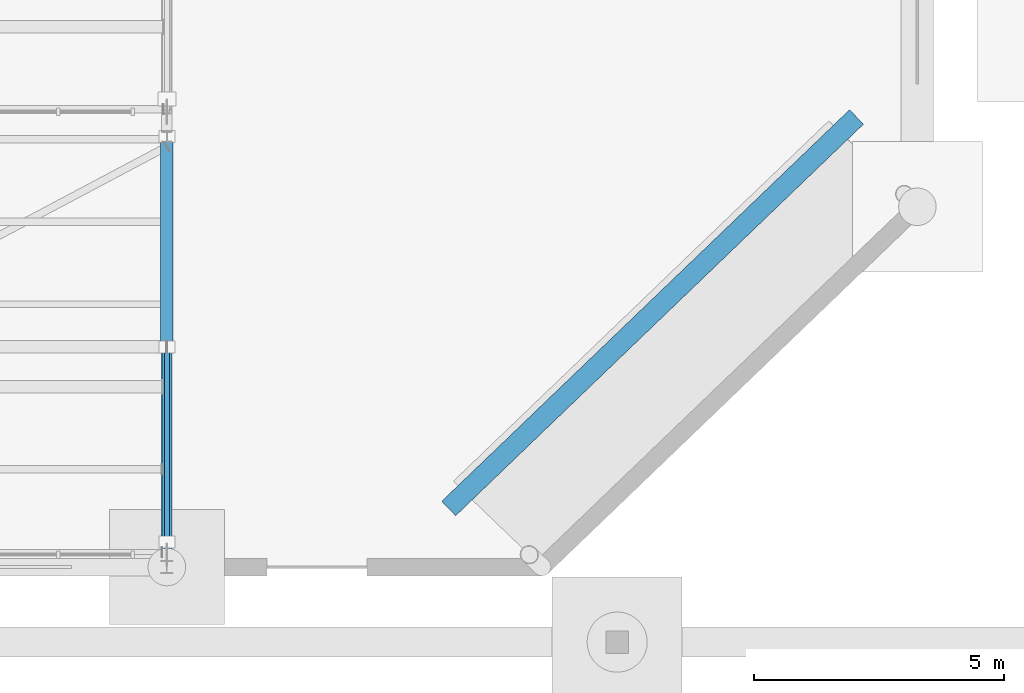
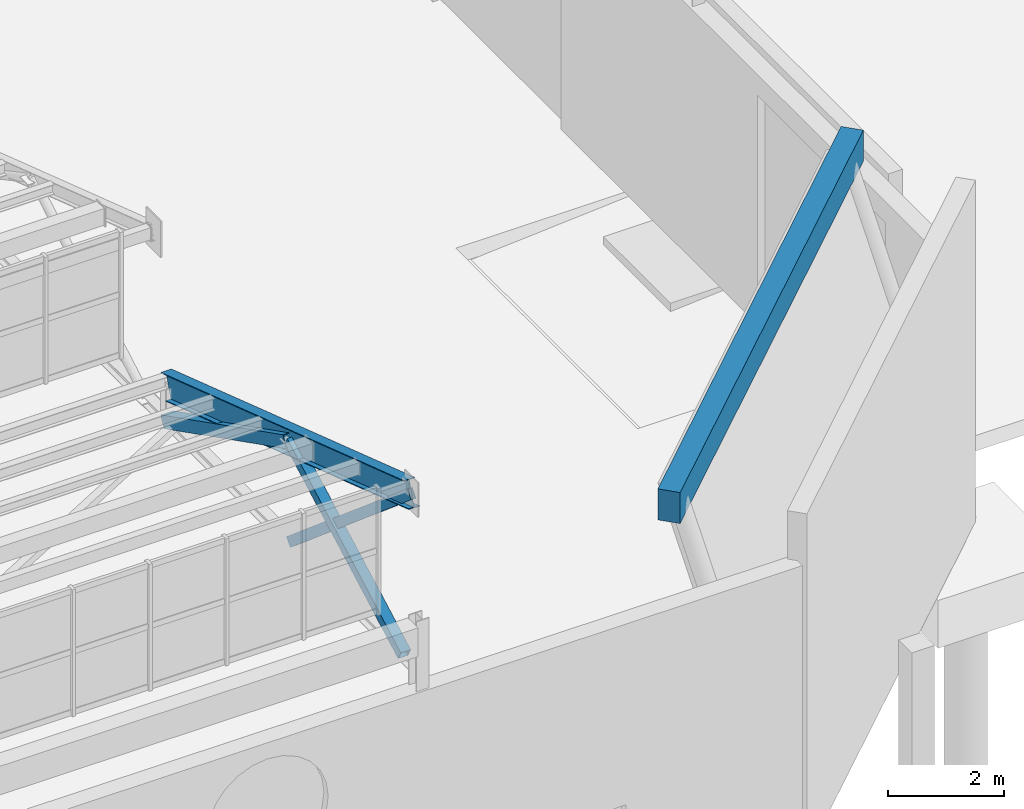
# One storey, part 114 of 285: 3 members, 2 beams.
"""IFC4 building model written with IfcOpenShell, lengths in metres."""

from ifc_helpers import new_model, si_unit, direction, frame, origin, origin_2d, place, context, subcontext, project, spatial, rectangle, hollow_rectangle, i_section, extrude, material, material_profile, profile_set, type_object, element, save


model = new_model("IFC4")

# Units and contexts
model_context = context("Model", 3, precision=1e-05, world=origin(), true_north=direction((0.0, 1.0)))
body_context = subcontext(model_context, "Body", "Model", "MODEL_VIEW")
ifc_project = project(units=[si_unit("LENGTHUNIT", "METRE"), si_unit("AREAUNIT", "SQUARE_METRE"), si_unit("VOLUMEUNIT", "CUBIC_METRE"), si_unit("PLANEANGLEUNIT", "RADIAN"), si_unit("MASSUNIT", "GRAM", prefix="KILO")], contexts=[model_context])

# Site, building, storey
site_placement = place(None, origin())
site = spatial("IfcSite", under=ifc_project, at=site_placement, CompositionType="ELEMENT")
building_placement = place(site_placement, origin())
building = spatial("IfcBuilding", under=site, at=building_placement, Name="Solanera Park Tramway Depot", CompositionType="ELEMENT")
storey_placement = place(building_placement, origin())
storey = spatial("IfcBuildingStorey", under=building, at=storey_placement, Name="L00", CompositionType="ELEMENT", Elevation=0.0)

# Beam
ifc_material_1 = material(Name="Concrete N40 (C40/50)", Category="concrete")
ifc_material_profile_1 = material_profile(ifc_material_1, rectangle(XDim=0.39990234375, YDim=0.64990234375, at=origin_2d()), Name="SPB 400x650")
ifc_profile_set_1 = profile_set([ifc_material_profile_1], Name="Concrete N40 (C40/50)")
beam_type_1 = type_object("IfcBeamType", Name="Perimeter Spandrel Beam SPB 400x650", PredefinedType="SPANDREL", material=ifc_profile_set_1)
beam_1_placement = place(storey_placement, frame((140.63330078125, 56.67041015625, 7.219970703125), z_axis=(0.721395958426, 0.692522830791, 0.0), x_axis=(-0.692522830791, 0.721395958426, 0.0)))
element("IfcBeam", 1, at=beam_1_placement, inside=storey, type_object=beam_type_1, Name="L00 V1 Carved Corner Eave Spandrel SE", PredefinedType="SPANDREL", context=body_context, shape_type="SweptSolid", body=[
    extrude(rectangle(XDim=0.39990234375, YDim=0.64990234375, at=origin_2d()), origin(), (0.0, 0.0, 1.0), 11.296630859375),
])

# Member
ifc_material_2 = material(Name="Steel AS/NZS 1163 Grade C350L0", Category="steel")
ifc_material_profile_2 = material_profile(ifc_material_2, hollow_rectangle(XDim=0.199951171875, YDim=0.199951171875, WallThickness=0.008056640625, at=origin_2d()), Name="200x200x8.0 SHS")
ifc_profile_set_2 = profile_set([ifc_material_profile_2], Name="Steel AS/NZS 1163 Grade C350L0")
member_type_1 = type_object("IfcMemberType", Name="Roof Gantry Compression Strut 200x200x8.0 SHS", PredefinedType="STRUT", material=ifc_profile_set_2)
member_1_placement = place(storey_placement, frame((135.0, 56.0, 6.5), z_axis=(0.0, 0.877666599941, 0.479271675929), x_axis=(-1.0, 0.0, 0.0)))
element("IfcMember", 2, at=member_1_placement, inside=storey, type_object=member_type_1, Name="Sawtooth ROOF TRUSS Strut 200x200x8.0 SHS #0033", PredefinedType="STRUT", context=body_context, shape_type="SweptSolid", body=[
    extrude(hollow_rectangle(XDim=0.199951171875, YDim=0.199951171875, WallThickness=0.008056640625, at=origin_2d()), origin(), (0.0, 0.0, 1.0), 4.443603515625),
])

# Beam
ifc_material_3 = material(Name="Steel AS/NZS 3679.1 Grade 350", Category="steel")
ifc_material_profile_3 = material_profile(ifc_material_3, i_section(OverallWidth=0.209228515625, OverallDepth=0.532958984375, WebThickness=0.01025390625, FlangeThickness=0.015625, at=origin_2d()), Name="530UB92.4")
ifc_profile_set_3 = profile_set([ifc_material_profile_3], Name="Steel AS/NZS 3679.1 Grade 350")
beam_type_2 = type_object("IfcBeamType", Name="Steel Beam 530UB92.4", PredefinedType="BEAM", material=ifc_profile_set_3)
beam_2_placement = place(storey_placement, frame((135.0, 55.75, 10.018310546875), z_axis=(0.0, 0.948322229475, -0.317308917435), x_axis=(-1.0, 0.0, 0.0)))
element("IfcBeam", 3, at=beam_2_placement, inside=storey, type_object=beam_type_2, Name="Sawtooth ROOF TRUSS Top Rafter 530UB92.4 B01-T9", PredefinedType="BEAM", context=body_context, shape_type="SweptSolid", body=[
    extrude(i_section(OverallWidth=0.209228515625, OverallDepth=0.532958984375, WebThickness=0.01025390625, FlangeThickness=0.015625, at=origin_2d()), origin(), (0.0, 0.0, 1.0), 8.80517578125),
])

# Members
ifc_material_4 = material(Name="Steel AS/NZS 1163 Grade C350L0", Category="steel")
ifc_material_profile_4 = material_profile(ifc_material_4, hollow_rectangle(XDim=0.10009765625, YDim=0.199951171875, WallThickness=0.006103515625, at=origin_2d()), Name="200x100x6.0 RHS")
ifc_profile_set_4 = profile_set([ifc_material_profile_4], Name="Steel AS/NZS 1163 Grade C350L0")
member_type_2 = type_object("IfcMemberType", Name="Truss and Frame Brace 200x100x6.0 RHS", PredefinedType="BRACE", material=ifc_profile_set_4)
member_2_placement = place(storey_placement, frame((135.0, 59.89990234375, 6.5), z_axis=(0.0, -0.762764662408, 0.646676170724), x_axis=(1.0, 0.0, 0.0)))
element("IfcMember", 4, at=member_2_placement, inside=storey, type_object=member_type_2, Name="Sawtooth ROOF TRUSS Web Brace 200x100x6.0 RHS #0031", PredefinedType="BRACE", context=body_context, shape_type="SweptSolid", body=[
    extrude(hollow_rectangle(XDim=0.10009765625, YDim=0.199951171875, WallThickness=0.006103515625, at=origin_2d()), origin(), (0.0, 0.0, 1.0), 5.440673828125),
])
ifc_material_5 = material(Name="Steel AS/NZS 1163 Grade C350L0", Category="steel")
ifc_material_profile_5 = material_profile(ifc_material_5, hollow_rectangle(XDim=0.25, YDim=0.25, WallThickness=0.010009765625, at=origin_2d()), Name="250x250x10.0 SHS")
ifc_profile_set_5 = profile_set([ifc_material_profile_5], Name="Steel AS/NZS 1163 Grade C350L0")
member_type_3 = type_object("IfcMemberType", Name="Truss and Frame Brace 250x250x10.0 SHS", PredefinedType="BRACE", material=ifc_profile_set_5)
member_3_placement = place(storey_placement, frame((135.0, 64.10009765625, 6.5), z_axis=(0.0, -0.891903919885, 0.452224941476), x_axis=(1.0, 0.0, 0.0)))
element("IfcMember", 5, at=member_3_placement, inside=storey, type_object=member_type_3, Name="Sawtooth ROOF TRUSS Diagonal 250x250x10.0 SHS #0032", PredefinedType="BRACE", context=body_context, shape_type="SweptSolid", body=[
    extrude(hollow_rectangle(XDim=0.25, YDim=0.25, WallThickness=0.010009765625, at=origin_2d()), origin(), (0.0, 0.0, 1.0), 4.709228515625),
])

save(model, "model.ifc")
